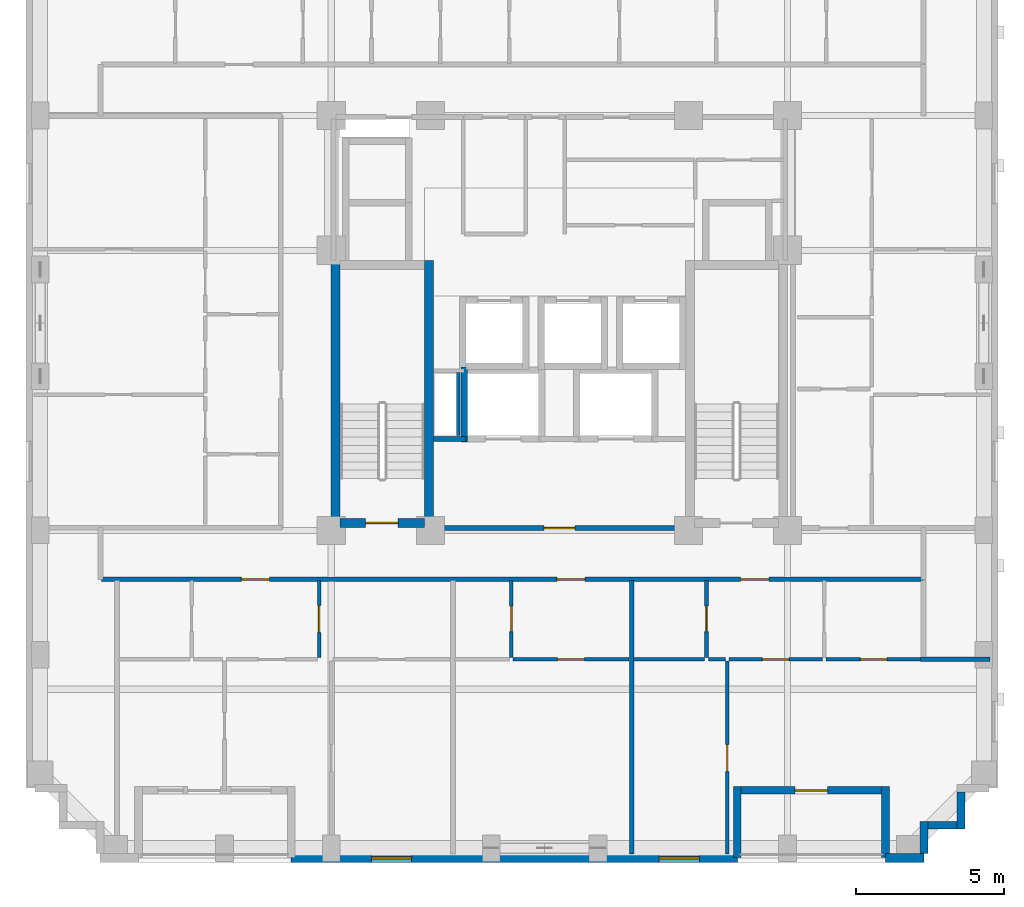
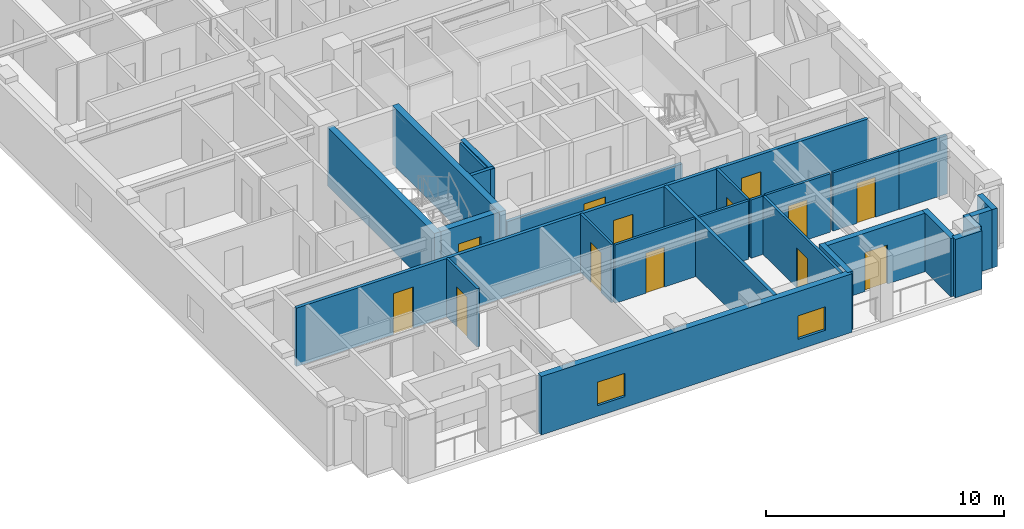
# One storey, part 3 of 11: 27 walls, 13 doors, 2 windows, 15 openings.
"""IFC4 building model written with IfcOpenShell, lengths in metres."""

from ifc_helpers import new_model, si_unit, derived_unit, direction, frame, frame_2d, origin, place, context, subcontext, project, spatial, rectangle, extrude, material, layer, layer_set, type_object, element, fill, save


model = new_model("IFC4")

# Units and contexts
model_context = context("Model", 3, precision=1e-05, world=origin(), true_north=direction((0.0, 1.0)))
body_context = subcontext(model_context, "Body", "Model", "MODEL_VIEW")
ifc_project = project(units=[si_unit("LENGTHUNIT", "METRE"), si_unit("AREAUNIT", "SQUARE_METRE"), si_unit("VOLUMEUNIT", "CUBIC_METRE"), si_unit("PLANEANGLEUNIT", "RADIAN"), si_unit("MASSUNIT", "GRAM", prefix="KILO"), derived_unit("THERMALTRANSMITTANCEUNIT", [(si_unit("MASSUNIT", "GRAM", prefix="KILO"), 1), (si_unit("TIMEUNIT", "SECOND"), -3), (si_unit("THERMODYNAMICTEMPERATUREUNIT", "KELVIN"), -1)])], contexts=[model_context])

# Site, building, storey
site_placement = place(None, origin())
site = spatial("IfcSite", under=ifc_project, at=site_placement, CompositionType="ELEMENT")
building_placement = place(site_placement, origin())
building = spatial("IfcBuilding", under=site, at=building_placement, Name="Korrvale Station Residences", CompositionType="ELEMENT")
storey_placement = place(building_placement, frame((0.0, 0.0, 156.89990234375)))
storey = spatial("IfcBuildingStorey", under=building, at=storey_placement, Name="L45", CompositionType="ELEMENT", Elevation=156.89990234375)

# Walls
ifc_material_1 = material(Name="Concrete C60/75", Category="concrete")
ifc_layer_1 = layer(ifc_material_1, 0.300048828125, Name="Concrete C60/75")
ifc_layer_set_1 = layer_set([ifc_layer_1], Name="Concrete C60/75")
wall_type_1 = type_object("IfcWallType", Name="WAL-CORE-300-C60", PredefinedType="SHEAR", material=ifc_layer_set_1)
for number, where, z_axis, x_axis, name in (
    (1, (17.949951171875, 15.10009765625, 0.0), (0.0, 0.0, 1.0), (0.0, 1.0, 0.0), "L45 ST-1 Core Shear Wall West"),
    (2, (21.10009765625, 15.10009765625, 0.0), (0.0, 0.0, 1.0), (0.0, 1.0, 0.0), "L45 ST-1 Core Shear Wall East"),
):
    element("IfcWall", number, at=place(storey_placement, frame(where, z_axis=z_axis, x_axis=x_axis)), inside=storey, type_object=wall_type_1, Name=name, PredefinedType="SHEAR", context=body_context, shape_type="SweptSolid", body=[
        extrude(rectangle(XDim=9.0, YDim=0.300048828125, at=frame_2d((4.5, 0.0))), origin(), (0.0, 0.0, 1.0), 2.989990234375),
    ])

# Wall, opening, door
wall_1_placement = place(storey_placement, frame((18.10009765625, 15.25, 0.0), z_axis=(0.0, 0.0, 1.0), x_axis=(1.0, 0.0, 0.0)))
wall_1 = element("IfcWall", 3, at=wall_1_placement, inside=storey, type_object=wall_type_1, Name="L45 ST-1 Core Shear Wall South", PredefinedType="SHEAR", context=body_context, shape_type="SweptSolid", body=[
    extrude(rectangle(XDim=2.849853515625, YDim=0.300048828125, at=frame_2d((1.4248046875, 0.0))), origin(), (0.0, 0.0, 1.0), 2.989990234375),
])
opening_1_placement = place(wall_1_placement, frame((0.860107421875, 0.0, 0.0)))
opening_1 = element("IfcOpeningElement", 4, at=opening_1_placement, cuts=wall_1, Name="Opening SD-1100", PredefinedType="OPENING", context=body_context, shape_type="SweptSolid", body=[
    extrude(rectangle(XDim=1.10009765625, YDim=2.050048828125, at=frame_2d((0.550048828125, 1.02490234375))), frame((0.0, 0.16015625, 0.0), z_axis=(0.0, -1.0, 0.0), x_axis=(1.0, 0.0, 0.0)), (0.0, 0.0, 1.0), 0.320068359375),
])
ifc_material_2 = material(Name="Hollow-metal fire-rated stair door with closer", Category="steel")
door_type_1 = type_object("IfcDoorType", Name="DR-STAIR-1100", OperationType="NOTDEFINED", PredefinedType="DOOR", material=ifc_material_2)
door_1_placement = place(opening_1_placement, origin())
door_1 = element("IfcDoor", 5, at=door_1_placement, inside=storey, type_object=door_type_1, Name="L45 ST-1 Exit Stair Door", OperationType="SINGLE_SWING_LEFT", OverallHeight=2.050048828125, OverallWidth=1.10009765625, PredefinedType="DOOR", context=body_context, shape_type="SweptSolid", body=[
    extrude(rectangle(XDim=1.10009765625, YDim=2.050048828125, at=frame_2d((0.550048828125, 1.02490234375))), frame((0.0, 0.02490234375, 0.0), z_axis=(0.0, -1.0, 0.0), x_axis=(1.0, 0.0, 0.0)), (0.0, 0.0, 1.0), 0.050048828125),
])
fill(opening_1, door_1)

# Wall
ifc_material_3 = material(Name="Precast concrete C45/55", Category="concrete")
ifc_layer_2 = layer(ifc_material_3, 0.260009765625, Name="Precast concrete C45/55")
ifc_layer_set_2 = layer_set([ifc_layer_2], Name="Precast concrete C45/55")
wall_type_2 = type_object("IfcWallType", Name="WAL-EXT-LOG260", PredefinedType="SOLIDWALL", material=ifc_layer_set_2)
wall_2_placement = place(storey_placement, frame((36.5, 3.9599609375, 0.0), z_axis=(0.0, 0.0, 1.0), x_axis=(0.0, 1.0, 0.0)))
element("IfcWall", 6, at=wall_2_placement, inside=storey, type_object=wall_type_2, Name="L45 Recessed Loggia Wall BAL-L45-S2-L", PredefinedType="SOLIDWALL", context=body_context, shape_type="SweptSolid", body=[
    extrude(rectangle(XDim=2.400146484375, YDim=0.260009765625, at=frame_2d((1.2001953125, 0.0))), origin(), (0.0, 0.0, 1.0), 2.989990234375),
])

# Wall, opening, door
wall_3_placement = place(storey_placement, frame((36.365966796875, 6.22998046875, 0.0), z_axis=(0.0, 0.0, 1.0), x_axis=(-1.0, 0.0, 0.0)))
wall_3 = element("IfcWall", 7, at=wall_3_placement, inside=storey, type_object=wall_type_2, Name="L45 Recessed Loggia Wall BAL-L45-S2-B", PredefinedType="SOLIDWALL", context=body_context, shape_type="SweptSolid", body=[
    extrude(rectangle(XDim=4.73193359375, YDim=0.260009765625, at=frame_2d((2.365966796875, 0.0))), origin(), (0.0, 0.0, 1.0), 2.989990234375),
])
opening_2_placement = place(wall_3_placement, frame((1.81591796875, 0.0, 0.0)))
opening_2 = element("IfcOpeningElement", 8, at=opening_2_placement, cuts=wall_3, Name="Opening BD-01", PredefinedType="OPENING", context=body_context, shape_type="SweptSolid", body=[
    extrude(rectangle(XDim=1.10009765625, YDim=2.0, at=frame_2d((0.550048828125, 1.0))), frame((0.0, 0.14013671875, 0.0), z_axis=(0.0, -1.0, 0.0), x_axis=(1.0, 0.0, 0.0)), (0.0, 0.0, 1.0), 0.280029296875),
])
ifc_material_4 = material(Name="Exterior thermally broken aluminium glazed balcony door", Category="aluminium")
door_type_2 = type_object("IfcDoorType", Name="DR-EXT-BAL", OperationType="NOTDEFINED", PredefinedType="DOOR", material=ifc_material_4)
door_2_placement = place(opening_2_placement, origin())
door_2 = element("IfcDoor", 9, at=door_2_placement, inside=storey, type_object=door_type_2, Name="L45 Loggia Balcony Door BAL-L45-S2", OperationType="SINGLE_SWING_RIGHT", OverallHeight=2.0, OverallWidth=1.10009765625, PredefinedType="DOOR", context=body_context, shape_type="SweptSolid", body=[
    extrude(rectangle(XDim=1.10009765625, YDim=2.0, at=frame_2d((0.550048828125, 1.0))), frame((0.0, 0.02490234375, 0.0), z_axis=(0.0, -1.0, 0.0), x_axis=(1.0, 0.0, 0.0)), (0.0, 0.0, 1.0), 0.050048828125),
])
fill(opening_2, door_2)

# Walls
wall_4_placement = place(storey_placement, frame((31.5, 6.360107421875, 0.0), z_axis=(0.0, 0.0, 1.0), x_axis=(0.0, -1.0, 0.0)))
element("IfcWall", 10, at=wall_4_placement, inside=storey, type_object=wall_type_2, Name="L45 Recessed Loggia Wall BAL-L45-S2-R", PredefinedType="SOLIDWALL", context=body_context, shape_type="SweptSolid", body=[
    extrude(rectangle(XDim=2.400146484375, YDim=0.260009765625, at=frame_2d((1.2001953125, 0.0))), origin(), (0.0, 0.0, 1.0), 2.989990234375),
])
wall_5_placement = place(storey_placement, frame((39.050048828125, 6.16796875, 0.0), z_axis=(0.0, 0.0, 1.0), x_axis=(0.0, -1.0, 0.0)))
element("IfcWall", 11, at=wall_5_placement, inside=storey, type_object=wall_type_2, Name="L45 Serrated Corner Precast Step SE-2", PredefinedType="SOLIDWALL", context=body_context, shape_type="SweptSolid", body=[
    extrude(rectangle(XDim=1.248046875, YDim=0.260009765625, at=frame_2d((0.6240234375, 0.0))), origin(), (0.0, 0.0, 1.0), 2.989990234375),
])
wall_6_placement = place(storey_placement, frame((38.91796875, 5.050048828125, 0.0), z_axis=(0.0, 0.0, 1.0), x_axis=(-1.0, 0.0, 0.0)))
element("IfcWall", 12, at=wall_6_placement, inside=storey, type_object=wall_type_2, Name="L45 Serrated Corner Precast Step SE-3", PredefinedType="SOLIDWALL", context=body_context, shape_type="SweptSolid", body=[
    extrude(rectangle(XDim=0.986083984375, YDim=0.260009765625, at=frame_2d((0.4931640625, 0.0))), origin(), (0.0, 0.0, 1.0), 2.989990234375),
])
wall_7_placement = place(storey_placement, frame((37.800048828125, 5.179931640625, 0.0), z_axis=(0.0, 0.0, 1.0), x_axis=(0.0, -1.0, 0.0)))
element("IfcWall", 13, at=wall_7_placement, inside=storey, type_object=wall_type_2, Name="L45 Serrated Corner Precast Step SE-4", PredefinedType="SOLIDWALL", context=body_context, shape_type="SweptSolid", body=[
    extrude(rectangle(XDim=1.077880859375, YDim=0.260009765625, at=frame_2d((0.5390625, 0.0))), origin(), (0.0, 0.0, 1.0), 2.989990234375),
])
ifc_layer_3 = layer(ifc_material_3, 0.300048828125, Name="Precast concrete C45/55")
ifc_layer_set_3 = layer_set([ifc_layer_3], Name="Precast concrete C45/55")
wall_type_3 = type_object("IfcWallType", Name="WAL-EXT-PC300", PredefinedType="SOLIDWALL", material=ifc_layer_set_3)
wall_8_placement = place(storey_placement, frame((37.800048828125, 3.949951171875, 0.0), z_axis=(0.0, 0.0, 1.0), x_axis=(-1.0, 0.0, 0.0)))
element("IfcWall", 14, at=wall_8_placement, inside=storey, type_object=wall_type_3, Name="L45 South Exterior Precast Wall 1", PredefinedType="SOLIDWALL", context=body_context, shape_type="SweptSolid", body=[
    extrude(rectangle(XDim=1.300048828125, YDim=0.300048828125, at=frame_2d((0.64990234375, 0.0))), origin(), (0.0, 0.0, 1.0), 2.989990234375),
])

# Wall, openings, windows
wall_9_placement = place(storey_placement, frame((31.5, 3.949951171875, 0.0), z_axis=(0.0, 0.0, 1.0), x_axis=(-1.0, 0.0, 0.0)))
wall_9 = element("IfcWall", 15, at=wall_9_placement, inside=storey, type_object=wall_type_3, Name="L45 South Exterior Precast Wall 2", PredefinedType="SOLIDWALL", context=body_context, shape_type="SweptSolid", body=[
    extrude(rectangle(XDim=15.050048828125, YDim=0.300048828125, at=frame_2d((7.52490234375, 0.0))), origin(), (0.0, 0.0, 1.0), 2.989990234375),
])
opening_3_placement = place(wall_9_placement, frame((10.989013671875, 0.0, 0.550048828125)))
opening_3 = element("IfcOpeningElement", 16, at=opening_3_placement, cuts=wall_9, Name="Opening W-10", PredefinedType="OPENING", context=body_context, shape_type="SweptSolid", body=[
    extrude(rectangle(XDim=1.35009765625, YDim=1.199951171875, at=frame_2d((0.675048828125, 0.60009765625))), frame((0.0, 0.16015625, 0.0), z_axis=(0.0, -1.0, 0.0), x_axis=(1.0, 0.0, 0.0)), (0.0, 0.0, 1.0), 0.320068359375),
])
opening_4_placement = place(wall_9_placement, frame((1.281982421875, 0.0, 0.550048828125)))
opening_4 = element("IfcOpeningElement", 17, at=opening_4_placement, cuts=wall_9, Name="Opening W-10", PredefinedType="OPENING", context=body_context, shape_type="SweptSolid", body=[
    extrude(rectangle(XDim=1.35009765625, YDim=1.199951171875, at=frame_2d((0.675048828125, 0.60009765625))), frame((0.0, 0.16015625, 0.0), z_axis=(0.0, -1.0, 0.0), x_axis=(1.0, 0.0, 0.0)), (0.0, 0.0, 1.0), 0.320068359375),
])
ifc_material_5 = material(Name="Thermally broken aluminium frame with triple low-e glazing", Category="aluminium")
window_type = type_object("IfcWindowType", Name="WIN-W10", PartitioningType="SINGLE_PANEL", PredefinedType="WINDOW", material=ifc_material_5)
window_1_placement = place(opening_3_placement, origin())
window_1 = element("IfcWindow", 18, at=window_1_placement, inside=storey, type_object=window_type, Name="L45 Punched Window 03", OverallHeight=1.199951171875, OverallWidth=1.35009765625, PartitioningType="SINGLE_PANEL", PredefinedType="WINDOW", context=body_context, shape_type="SweptSolid", body=[
    extrude(rectangle(XDim=1.35009765625, YDim=1.199951171875, at=frame_2d((0.675048828125, 0.60009765625))), frame((0.0, 0.030029296875, 0.0), z_axis=(0.0, -1.0, 0.0), x_axis=(1.0, 0.0, 0.0)), (0.0, 0.0, 1.0), 0.06005859375),
])
fill(opening_3, window_1)
window_2_placement = place(opening_4_placement, origin())
window_2 = element("IfcWindow", 19, at=window_2_placement, inside=storey, type_object=window_type, Name="L45 Punched Window 04", OverallHeight=1.199951171875, OverallWidth=1.35009765625, PartitioningType="SINGLE_PANEL", PredefinedType="WINDOW", context=body_context, shape_type="SweptSolid", body=[
    extrude(rectangle(XDim=1.35009765625, YDim=1.199951171875, at=frame_2d((0.675048828125, 0.60009765625))), frame((0.0, 0.030029296875, 0.0), z_axis=(0.0, -1.0, 0.0), x_axis=(1.0, 0.0, 0.0)), (0.0, 0.0, 1.0), 0.06005859375),
])
fill(opening_4, window_2)

# Wall
ifc_material_6 = material(Name="Acoustic steel-stud gypsum board partition", Category="steel")
ifc_layer_4 = layer(ifc_material_6, 0.1201171875, Name="Acoustic steel-stud gypsum board partition")
ifc_layer_set_4 = layer_set([ifc_layer_4], Name="Acoustic steel-stud gypsum board partition")
wall_type_4 = type_object("IfcWallType", Name="WAL-PART-125", PredefinedType="PARTITIONING", material=ifc_layer_set_4)
wall_10_placement = place(storey_placement, frame((22.080078125, 18.199951171875, 0.0), z_axis=(0.0, 0.0, 1.0), x_axis=(0.0, 1.0, 0.0)))
element("IfcWall", 20, at=wall_10_placement, inside=storey, type_object=wall_type_4, Name="L45 Core Partition CW-RSWT", PredefinedType="PARTITIONING", context=body_context, shape_type="SweptSolid", body=[
    extrude(rectangle(XDim=2.1201171875, YDim=0.1201171875, at=frame_2d((1.06005859375, 0.0))), origin(), (0.0, 0.0, 1.0), 2.989990234375),
])

# Wall, opening, door
wall_11_placement = place(storey_placement, frame((17.389892578125, 10.7099609375, 0.0), z_axis=(0.0, 0.0, 1.0), x_axis=(0.0, 1.0, 0.0)))
wall_11 = element("IfcWall", 21, at=wall_11_placement, inside=storey, type_object=wall_type_4, Name="L45 Suite Partition U01-V12", PredefinedType="PARTITIONING", context=body_context, shape_type="SweptSolid", body=[
    extrude(rectangle(XDim=2.60009765625, YDim=0.1201171875, at=frame_2d((1.300048828125, 0.0))), origin(), (0.0, 0.0, 1.0), 2.989990234375),
])
opening_5_placement = place(wall_11_placement, frame((0.85009765625, 0.0, 0.0)))
opening_5 = element("IfcOpeningElement", 22, at=opening_5_placement, cuts=wall_11, Name="Opening DI-900", PredefinedType="OPENING", context=body_context, shape_type="SweptSolid", body=[
    extrude(rectangle(XDim=0.89990234375, YDim=2.050048828125, at=frame_2d((0.449951171875, 1.02490234375))), frame((0.0, 0.070068359375, 0.0), z_axis=(0.0, -1.0, 0.0), x_axis=(1.0, 0.0, 0.0)), (0.0, 0.0, 1.0), 0.14013671875),
])
ifc_material_7 = material(Name="Painted solid-core timber interior room door", Category="wood")
door_type_3 = type_object("IfcDoorType", Name="DR-INT-900", OperationType="NOTDEFINED", PredefinedType="DOOR", material=ifc_material_7)
door_3_placement = place(opening_5_placement, origin())
door_3 = element("IfcDoor", 23, at=door_3_placement, inside=storey, type_object=door_type_3, Name="L45 Apartment 1BR L45-U01 Kitchen Door", OperationType="SINGLE_SWING_RIGHT", OverallHeight=2.050048828125, OverallWidth=0.89990234375, PredefinedType="DOOR", context=body_context, shape_type="SweptSolid", body=[
    extrude(rectangle(XDim=0.89990234375, YDim=2.050048828125, at=frame_2d((0.449951171875, 1.02490234375))), frame((0.0, 0.02490234375, 0.0), z_axis=(0.0, -1.0, 0.0), x_axis=(1.0, 0.0, 0.0)), (0.0, 0.0, 1.0), 0.050048828125),
])
fill(opening_5, door_3)

wall_12_placement = place(storey_placement, frame((23.8779296875, 10.7099609375, 0.0), z_axis=(0.0, 0.0, 1.0), x_axis=(0.0, 1.0, 0.0)))
wall_12 = element("IfcWall", 24, at=wall_12_placement, inside=storey, type_object=wall_type_4, Name="L45 Suite Partition U02-V01", PredefinedType="PARTITIONING", context=body_context, shape_type="SweptSolid", body=[
    extrude(rectangle(XDim=2.60009765625, YDim=0.1201171875, at=frame_2d((1.300048828125, 0.0))), origin(), (0.0, 0.0, 1.0), 2.989990234375),
])
opening_6_placement = place(wall_12_placement, frame((0.8701171875, 0.0, 0.0)))
opening_6 = element("IfcOpeningElement", 25, at=opening_6_placement, cuts=wall_12, Name="Opening DB-860", PredefinedType="OPENING", context=body_context, shape_type="SweptSolid", body=[
    extrude(rectangle(XDim=0.860107421875, YDim=2.050048828125, at=frame_2d((0.43017578125, 1.02490234375))), frame((0.0, 0.070068359375, 0.0), z_axis=(0.0, -1.0, 0.0), x_axis=(1.0, 0.0, 0.0)), (0.0, 0.0, 1.0), 0.14013671875),
])
ifc_material_8 = material(Name="Moisture-resistant solid-core bathroom door", Category="timber")
door_type_4 = type_object("IfcDoorType", Name="DR-BATH-860", OperationType="NOTDEFINED", PredefinedType="DOOR", material=ifc_material_8)
door_4_placement = place(opening_6_placement, origin())
door_4 = element("IfcDoor", 26, at=door_4_placement, inside=storey, type_object=door_type_4, Name="L45 Studio Apartment L45-U02 Bathroom Door", OperationType="SINGLE_SWING_LEFT", OverallHeight=2.050048828125, OverallWidth=0.860107421875, PredefinedType="DOOR", context=body_context, shape_type="SweptSolid", body=[
    extrude(rectangle(XDim=0.860107421875, YDim=2.050048828125, at=frame_2d((0.43017578125, 1.02490234375))), frame((0.0, 0.02490234375, 0.0), z_axis=(0.0, -1.0, 0.0), x_axis=(1.0, 0.0, 0.0)), (0.0, 0.0, 1.0), 0.050048828125),
])
fill(opening_6, door_4)

wall_13_placement = place(storey_placement, frame((23.93798828125, 10.64990234375, 0.0), z_axis=(0.0, 0.0, 1.0), x_axis=(1.0, 0.0, 0.0)))
wall_13 = element("IfcWall", 27, at=wall_13_placement, inside=storey, type_object=wall_type_4, Name="L45 Suite Partition U02-H12", PredefinedType="PARTITIONING", context=body_context, shape_type="SweptSolid", body=[
    extrude(rectangle(XDim=3.904052734375, YDim=0.1201171875, at=frame_2d((1.9521484375, 0.0))), origin(), (0.0, 0.0, 1.0), 2.989990234375),
])
opening_7_placement = place(wall_13_placement, frame((1.501953125, 0.0, 0.0)))
opening_7 = element("IfcOpeningElement", 28, at=opening_7_placement, cuts=wall_13, Name="Opening DI-900", PredefinedType="OPENING", context=body_context, shape_type="SweptSolid", body=[
    extrude(rectangle(XDim=0.89990234375, YDim=2.050048828125, at=frame_2d((0.449951171875, 1.02490234375))), frame((0.0, 0.070068359375, 0.0), z_axis=(0.0, -1.0, 0.0), x_axis=(1.0, 0.0, 0.0)), (0.0, 0.0, 1.0), 0.14013671875),
])
door_5_placement = place(opening_7_placement, origin())
door_5 = element("IfcDoor", 29, at=door_5_placement, inside=storey, type_object=door_type_3, Name="L45 Studio Apartment L45-U02 Kitchen Door", OperationType="SINGLE_SWING_RIGHT", OverallHeight=2.050048828125, OverallWidth=0.89990234375, PredefinedType="DOOR", context=body_context, shape_type="SweptSolid", body=[
    extrude(rectangle(XDim=0.89990234375, YDim=2.050048828125, at=frame_2d((0.449951171875, 1.02490234375))), frame((0.0, 0.02490234375, 0.0), z_axis=(0.0, -1.0, 0.0), x_axis=(1.0, 0.0, 0.0)), (0.0, 0.0, 1.0), 0.050048828125),
])
fill(opening_7, door_5)

wall_14_placement = place(storey_placement, frame((30.4619140625, 10.7099609375, 0.0), z_axis=(0.0, 0.0, 1.0), x_axis=(0.0, 1.0, 0.0)))
wall_14 = element("IfcWall", 30, at=wall_14_placement, inside=storey, type_object=wall_type_4, Name="L45 Suite Partition U03-V01", PredefinedType="PARTITIONING", context=body_context, shape_type="SweptSolid", body=[
    extrude(rectangle(XDim=2.60009765625, YDim=0.1201171875, at=frame_2d((1.300048828125, 0.0))), origin(), (0.0, 0.0, 1.0), 2.989990234375),
])
opening_8_placement = place(wall_14_placement, frame((0.8701171875, 0.0, 0.0)))
opening_8 = element("IfcOpeningElement", 31, at=opening_8_placement, cuts=wall_14, Name="Opening DB-860", PredefinedType="OPENING", context=body_context, shape_type="SweptSolid", body=[
    extrude(rectangle(XDim=0.860107421875, YDim=2.050048828125, at=frame_2d((0.43017578125, 1.02490234375))), frame((0.0, 0.070068359375, 0.0), z_axis=(0.0, -1.0, 0.0), x_axis=(1.0, 0.0, 0.0)), (0.0, 0.0, 1.0), 0.14013671875),
])
door_6_placement = place(opening_8_placement, origin())
door_6 = element("IfcDoor", 32, at=door_6_placement, inside=storey, type_object=door_type_4, Name="L45 Studio Apartment L45-U03 Bathroom Door", OperationType="SINGLE_SWING_LEFT", OverallHeight=2.050048828125, OverallWidth=0.860107421875, PredefinedType="DOOR", context=body_context, shape_type="SweptSolid", body=[
    extrude(rectangle(XDim=0.860107421875, YDim=2.050048828125, at=frame_2d((0.43017578125, 1.02490234375))), frame((0.0, 0.02490234375, 0.0), z_axis=(0.0, -1.0, 0.0), x_axis=(1.0, 0.0, 0.0)), (0.0, 0.0, 1.0), 0.050048828125),
])
fill(opening_8, door_6)

# Walls
wall_15_placement = place(storey_placement, frame((28.001953125, 10.64990234375, 0.0), z_axis=(0.0, 0.0, 1.0), x_axis=(1.0, 0.0, 0.0)))
element("IfcWall", 33, at=wall_15_placement, inside=storey, type_object=wall_type_4, Name="L45 Suite Partition U03-H03", PredefinedType="PARTITIONING", context=body_context, shape_type="SweptSolid", body=[
    extrude(rectangle(XDim=2.400146484375, YDim=0.1201171875, at=frame_2d((1.2001953125, 0.0))), origin(), (0.0, 0.0, 1.0), 2.989990234375),
])
wall_16_placement = place(storey_placement, frame((30.52197265625, 10.64990234375, 0.0), z_axis=(0.0, 0.0, 1.0), x_axis=(1.0, 0.0, 0.0)))
element("IfcWall", 34, at=wall_16_placement, inside=storey, type_object=wall_type_4, Name="L45 Suite Partition U03-H13", PredefinedType="PARTITIONING", context=body_context, shape_type="SweptSolid", body=[
    extrude(rectangle(XDim=0.580078125, YDim=0.1201171875, at=frame_2d((0.2900390625, 0.0))), origin(), (0.0, 0.0, 1.0), 2.989990234375),
])

# Wall, opening, door
wall_17_placement = place(storey_placement, frame((31.221923828125, 10.64990234375, 0.0), z_axis=(0.0, 0.0, 1.0), x_axis=(1.0, 0.0, 0.0)))
wall_17 = element("IfcWall", 35, at=wall_17_placement, inside=storey, type_object=wall_type_4, Name="L45 Suite Partition U03-H14", PredefinedType="PARTITIONING", context=body_context, shape_type="SweptSolid", body=[
    extrude(rectangle(XDim=3.148193359375, YDim=0.1201171875, at=frame_2d((1.57421875, 0.0))), origin(), (0.0, 0.0, 1.0), 2.989990234375),
])
opening_9_placement = place(wall_17_placement, frame((1.1240234375, 0.0, 0.0)))
opening_9 = element("IfcOpeningElement", 36, at=opening_9_placement, cuts=wall_17, Name="Opening DI-900", PredefinedType="OPENING", context=body_context, shape_type="SweptSolid", body=[
    extrude(rectangle(XDim=0.89990234375, YDim=2.050048828125, at=frame_2d((0.449951171875, 1.02490234375))), frame((0.0, 0.070068359375, 0.0), z_axis=(0.0, -1.0, 0.0), x_axis=(1.0, 0.0, 0.0)), (0.0, 0.0, 1.0), 0.14013671875),
])
door_7_placement = place(opening_9_placement, origin())
door_7 = element("IfcDoor", 37, at=door_7_placement, inside=storey, type_object=door_type_3, Name="L45 Studio Apartment L45-U03 Kitchen Door", OperationType="SINGLE_SWING_LEFT", OverallHeight=2.050048828125, OverallWidth=0.89990234375, PredefinedType="DOOR", context=body_context, shape_type="SweptSolid", body=[
    extrude(rectangle(XDim=0.89990234375, YDim=2.050048828125, at=frame_2d((0.449951171875, 1.02490234375))), frame((0.0, 0.02490234375, 0.0), z_axis=(0.0, -1.0, 0.0), x_axis=(1.0, 0.0, 0.0)), (0.0, 0.0, 1.0), 0.050048828125),
])
fill(opening_9, door_7)

wall_18_placement = place(storey_placement, frame((34.489990234375, 10.64990234375, 0.0), z_axis=(0.0, 0.0, 1.0), x_axis=(1.0, 0.0, 0.0)))
wall_18 = element("IfcWall", 38, at=wall_18_placement, inside=storey, type_object=wall_type_4, Name="L45 Suite Partition U03-H24", PredefinedType="PARTITIONING", context=body_context, shape_type="SweptSolid", body=[
    extrude(rectangle(XDim=3.22998046875, YDim=0.1201171875, at=frame_2d((1.614990234375, 0.0))), origin(), (0.0, 0.0, 1.0), 2.989990234375),
])
opening_10_placement = place(wall_18_placement, frame((1.1650390625, 0.0, 0.0)))
opening_10 = element("IfcOpeningElement", 39, at=opening_10_placement, cuts=wall_18, Name="Opening DI-900", PredefinedType="OPENING", context=body_context, shape_type="SweptSolid", body=[
    extrude(rectangle(XDim=0.89990234375, YDim=2.050048828125, at=frame_2d((0.449951171875, 1.02490234375))), frame((0.0, 0.070068359375, 0.0), z_axis=(0.0, -1.0, 0.0), x_axis=(1.0, 0.0, 0.0)), (0.0, 0.0, 1.0), 0.14013671875),
])
door_8_placement = place(opening_10_placement, origin())
door_8 = element("IfcDoor", 40, at=door_8_placement, inside=storey, type_object=door_type_3, Name="L45 Studio Apartment L45-U03 Home Study Room Door", OperationType="SINGLE_SWING_RIGHT", OverallHeight=2.050048828125, OverallWidth=0.89990234375, PredefinedType="DOOR", context=body_context, shape_type="SweptSolid", body=[
    extrude(rectangle(XDim=0.89990234375, YDim=2.050048828125, at=frame_2d((0.449951171875, 1.02490234375))), frame((0.0, 0.02490234375, 0.0), z_axis=(0.0, -1.0, 0.0), x_axis=(1.0, 0.0, 0.0)), (0.0, 0.0, 1.0), 0.050048828125),
])
fill(opening_10, door_8)

wall_19_placement = place(storey_placement, frame((31.162109375, 4.080078125, 0.0), z_axis=(0.0, 0.0, 1.0), x_axis=(0.0, 1.0, 0.0)))
wall_19 = element("IfcWall", 41, at=wall_19_placement, inside=storey, type_object=wall_type_4, Name="L45 Suite Partition U03-V34", PredefinedType="PARTITIONING", context=body_context, shape_type="SweptSolid", body=[
    extrude(rectangle(XDim=6.510009765625, YDim=0.1201171875, at=frame_2d((3.2548828125, 0.0))), origin(), (0.0, 0.0, 1.0), 2.989990234375),
])
opening_11_placement = place(wall_19_placement, frame((2.7900390625, 0.0, 0.0)))
opening_11 = element("IfcOpeningElement", 42, at=opening_11_placement, cuts=wall_19, Name="Opening DI-900", PredefinedType="OPENING", context=body_context, shape_type="SweptSolid", body=[
    extrude(rectangle(XDim=0.89990234375, YDim=2.050048828125, at=frame_2d((0.449951171875, 1.02490234375))), frame((0.0, 0.070068359375, 0.0), z_axis=(0.0, -1.0, 0.0), x_axis=(1.0, 0.0, 0.0)), (0.0, 0.0, 1.0), 0.14013671875),
])
door_9_placement = place(opening_11_placement, origin())
door_9 = element("IfcDoor", 43, at=door_9_placement, inside=storey, type_object=door_type_3, Name="L45 Studio Apartment L45-U03 Formal Dining Room Door", OperationType="SINGLE_SWING_LEFT", OverallHeight=2.050048828125, OverallWidth=0.89990234375, PredefinedType="DOOR", context=body_context, shape_type="SweptSolid", body=[
    extrude(rectangle(XDim=0.89990234375, YDim=2.050048828125, at=frame_2d((0.449951171875, 1.02490234375))), frame((0.0, 0.02490234375, 0.0), z_axis=(0.0, -1.0, 0.0), x_axis=(1.0, 0.0, 0.0)), (0.0, 0.0, 1.0), 0.050048828125),
])
fill(opening_11, door_9)

ifc_material_9 = material(Name="Fire-rated twin-stud gypsum and mineral wool shaftwall assembly", Category="gypsum")
ifc_layer_5 = layer(ifc_material_9, 0.159912109375, Name="Fire-rated twin-stud gypsum and mineral wool shaftwall assembly")
ifc_layer_set_5 = layer_set([ifc_layer_5], Name="Fire-rated twin-stud gypsum and mineral wool shaftwall assembly")
wall_type_5 = type_object("IfcWallType", Name="WAL-PART-200", PredefinedType="PARTITIONING", material=ifc_layer_set_5)
wall_20_placement = place(storey_placement, frame((21.25, 15.080078125, 0.0), z_axis=(0.0, 0.0, 1.0), x_axis=(1.0, 0.0, 0.0)))
wall_20 = element("IfcWall", 44, at=wall_20_placement, inside=storey, type_object=wall_type_5, Name="L45 Core Partition CW-FFL-S", PredefinedType="PARTITIONING", context=body_context, shape_type="SweptSolid", body=[
    extrude(rectangle(XDim=8.5, YDim=0.159912109375, at=frame_2d((4.25, 0.0))), origin(), (0.0, 0.0, 1.0), 2.442138671875),
])
opening_12_placement = place(wall_20_placement, frame((3.72509765625, 0.0, 0.0)))
opening_12 = element("IfcOpeningElement", 45, at=opening_12_placement, cuts=wall_20, Name="Opening FD-1050", PredefinedType="OPENING", context=body_context, shape_type="SweptSolid", body=[
    extrude(rectangle(XDim=1.050048828125, YDim=2.050048828125, at=frame_2d((0.52490234375, 1.02490234375))), frame((0.0, 0.08984375, 0.0), z_axis=(0.0, -1.0, 0.0), x_axis=(1.0, 0.0, 0.0)), (0.0, 0.0, 1.0), 0.179931640625),
])
ifc_material_10 = material(Name="Fire-rated mineral-core timber lobby door", Category="wood")
door_type_5 = type_object("IfcDoorType", Name="DR-CORE-1050", OperationType="NOTDEFINED", PredefinedType="DOOR", material=ifc_material_10)
door_10_placement = place(opening_12_placement, origin())
door_10 = element("IfcDoor", 46, at=door_10_placement, inside=storey, type_object=door_type_5, Name="L45 Firefighting Lobby Entry Door", OperationType="SINGLE_SWING_RIGHT", OverallHeight=2.050048828125, OverallWidth=1.050048828125, PredefinedType="DOOR", context=body_context, shape_type="SweptSolid", body=[
    extrude(rectangle(XDim=1.050048828125, YDim=2.050048828125, at=frame_2d((0.52490234375, 1.02490234375))), frame((0.0, 0.02490234375, 0.0), z_axis=(0.0, -1.0, 0.0), x_axis=(1.0, 0.0, 0.0)), (0.0, 0.0, 1.0), 0.050048828125),
])
fill(opening_12, door_10)

# Walls
wall_21_placement = place(storey_placement, frame((21.25, 18.080078125, 0.0), z_axis=(0.0, 0.0, 1.0), x_axis=(1.0, 0.0, 0.0)))
element("IfcWall", 47, at=wall_21_placement, inside=storey, type_object=wall_type_5, Name="L45 Core Partition CW-FFL-N1", PredefinedType="PARTITIONING", context=body_context, shape_type="SweptSolid", body=[
    extrude(rectangle(XDim=1.10009765625, YDim=0.159912109375, at=frame_2d((0.550048828125, 0.0))), origin(), (0.0, 0.0, 1.0), 2.989990234375),
])
wall_22_placement = place(storey_placement, frame((37.679931640625, 10.64990234375, 0.0), z_axis=(0.0, 0.0, 1.0), x_axis=(1.0, 0.0, 0.0)))
element("IfcWall", 48, at=wall_22_placement, inside=storey, type_object=wall_type_5, Name="L45 Corner Step Wall U03-R", PredefinedType="PARTITIONING", context=body_context, shape_type="SweptSolid", body=[
    extrude(rectangle(XDim=2.340087890625, YDim=0.159912109375, at=frame_2d((1.169921875, 0.0))), origin(), (0.0, 0.0, 1.0), 2.989990234375),
])
wall_23_placement = place(storey_placement, frame((27.94189453125, 4.080078125, 0.0), z_axis=(0.0, 0.0, 1.0), x_axis=(0.0, 1.0, 0.0)))
element("IfcWall", 49, at=wall_23_placement, inside=storey, type_object=wall_type_5, Name="L45 Demising Wall U03-W", PredefinedType="PARTITIONING", context=body_context, shape_type="SweptSolid", body=[
    extrude(rectangle(XDim=9.22998046875, YDim=0.159912109375, at=frame_2d((4.614990234375, 0.0))), origin(), (0.0, 0.0, 1.0), 2.989990234375),
])

# Wall, openings, doors
wall_24_placement = place(storey_placement, frame((10.050048828125, 13.35009765625, 0.0), z_axis=(0.0, 0.0, 1.0), x_axis=(1.0, 0.0, 0.0)))
wall_24 = element("IfcWall", 50, at=wall_24_placement, inside=storey, type_object=wall_type_5, Name="L45 Rated Corridor Wall S", PredefinedType="PARTITIONING", context=body_context, shape_type="SweptSolid", body=[
    extrude(rectangle(XDim=27.699951171875, YDim=0.159912109375, at=frame_2d((13.85009765625, 0.0))), origin(), (0.0, 0.0, 1.0), 2.989990234375),
])
opening_13_placement = place(wall_24_placement, frame((4.715087890625, 0.0, 0.0)))
opening_13 = element("IfcOpeningElement", 51, at=opening_13_placement, cuts=wall_24, Name="Opening UD-950", PredefinedType="OPENING", context=body_context, shape_type="SweptSolid", body=[
    extrude(rectangle(XDim=0.949951171875, YDim=2.10009765625, at=frame_2d((0.47509765625, 1.050048828125))), frame((0.0, 0.08984375, 0.0), z_axis=(0.0, -1.0, 0.0), x_axis=(1.0, 0.0, 0.0)), (0.0, 0.0, 1.0), 0.179931640625),
])
opening_14_placement = place(wall_24_placement, frame((15.364990234375, 0.0, 0.0)))
opening_14 = element("IfcOpeningElement", 52, at=opening_14_placement, cuts=wall_24, Name="Opening UD-950", PredefinedType="OPENING", context=body_context, shape_type="SweptSolid", body=[
    extrude(rectangle(XDim=0.949951171875, YDim=2.10009765625, at=frame_2d((0.47509765625, 1.050048828125))), frame((0.0, 0.08984375, 0.0), z_axis=(0.0, -1.0, 0.0), x_axis=(1.0, 0.0, 0.0)), (0.0, 0.0, 1.0), 0.179931640625),
])
opening_15_placement = place(wall_24_placement, frame((21.56494140625, 0.0, 0.0)))
opening_15 = element("IfcOpeningElement", 53, at=opening_15_placement, cuts=wall_24, Name="Opening UD-950", PredefinedType="OPENING", context=body_context, shape_type="SweptSolid", body=[
    extrude(rectangle(XDim=0.949951171875, YDim=2.10009765625, at=frame_2d((0.47509765625, 1.050048828125))), frame((0.0, 0.08984375, 0.0), z_axis=(0.0, -1.0, 0.0), x_axis=(1.0, 0.0, 0.0)), (0.0, 0.0, 1.0), 0.179931640625),
])
ifc_material_11 = material(Name="Solid-core acoustic oak apartment entrance door", Category="timber")
door_type_6 = type_object("IfcDoorType", Name="DR-UNIT-950", OperationType="NOTDEFINED", PredefinedType="DOOR", material=ifc_material_11)
door_11_placement = place(opening_13_placement, origin())
door_11 = element("IfcDoor", 54, at=door_11_placement, inside=storey, type_object=door_type_6, Name="L45 Apartment L45-U01 Entrance Door", OperationType="SINGLE_SWING_RIGHT", OverallHeight=2.10009765625, OverallWidth=0.949951171875, PredefinedType="DOOR", context=body_context, shape_type="SweptSolid", body=[
    extrude(rectangle(XDim=0.949951171875, YDim=2.10009765625, at=frame_2d((0.47509765625, 1.050048828125))), frame((0.0, 0.02490234375, 0.0), z_axis=(0.0, -1.0, 0.0), x_axis=(1.0, 0.0, 0.0)), (0.0, 0.0, 1.0), 0.050048828125),
])
fill(opening_13, door_11)
door_12_placement = place(opening_14_placement, origin())
door_12 = element("IfcDoor", 55, at=door_12_placement, inside=storey, type_object=door_type_6, Name="L45 Apartment L45-U02 Entrance Door", OperationType="SINGLE_SWING_LEFT", OverallHeight=2.10009765625, OverallWidth=0.949951171875, PredefinedType="DOOR", context=body_context, shape_type="SweptSolid", body=[
    extrude(rectangle(XDim=0.949951171875, YDim=2.10009765625, at=frame_2d((0.47509765625, 1.050048828125))), frame((0.0, 0.02490234375, 0.0), z_axis=(0.0, -1.0, 0.0), x_axis=(1.0, 0.0, 0.0)), (0.0, 0.0, 1.0), 0.050048828125),
])
fill(opening_14, door_12)
door_13_placement = place(opening_15_placement, origin())
door_13 = element("IfcDoor", 56, at=door_13_placement, inside=storey, type_object=door_type_6, Name="L45 Apartment L45-U03 Entrance Door", OperationType="SINGLE_SWING_RIGHT", OverallHeight=2.10009765625, OverallWidth=0.949951171875, PredefinedType="DOOR", context=body_context, shape_type="SweptSolid", body=[
    extrude(rectangle(XDim=0.949951171875, YDim=2.10009765625, at=frame_2d((0.47509765625, 1.050048828125))), frame((0.0, 0.02490234375, 0.0), z_axis=(0.0, -1.0, 0.0), x_axis=(1.0, 0.0, 0.0)), (0.0, 0.0, 1.0), 0.050048828125),
])
fill(opening_15, door_13)

# Wall
ifc_layer_6 = layer(ifc_material_1, 0.219970703125, Name="Concrete C60/75")
ifc_layer_set_6 = layer_set([ifc_layer_6], Name="Concrete C60/75")
wall_type_6 = type_object("IfcWallType", Name="WAL-SHAFT-220-C60", PredefinedType="SHEAR", material=ifc_layer_set_6)
wall_25_placement = place(storey_placement, frame((22.2900390625, 17.97998046875, 0.0), z_axis=(0.0, 0.0, 1.0), x_axis=(0.0, 1.0, 0.0)))
element("IfcWall", 57, at=wall_25_placement, inside=storey, type_object=wall_type_6, Name="L45 Elevator FFL-1 Hoistway Wall West", PredefinedType="SHEAR", context=body_context, shape_type="SweptSolid", body=[
    extrude(rectangle(XDim=2.5400390625, YDim=0.219970703125, at=frame_2d((1.27001953125, 0.0))), origin(), (0.0, 0.0, 1.0), 2.989990234375),
])

save(model, "model.ifc")
